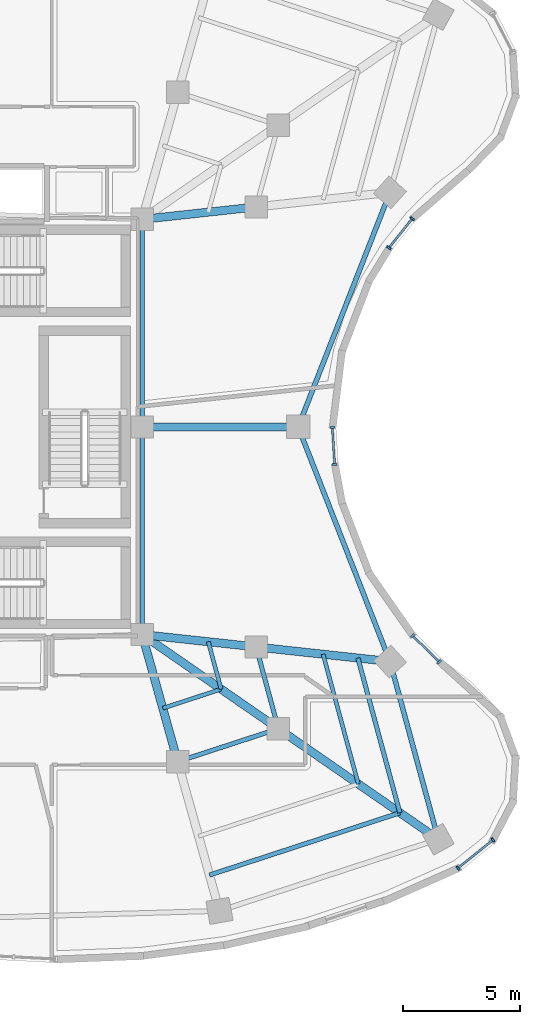
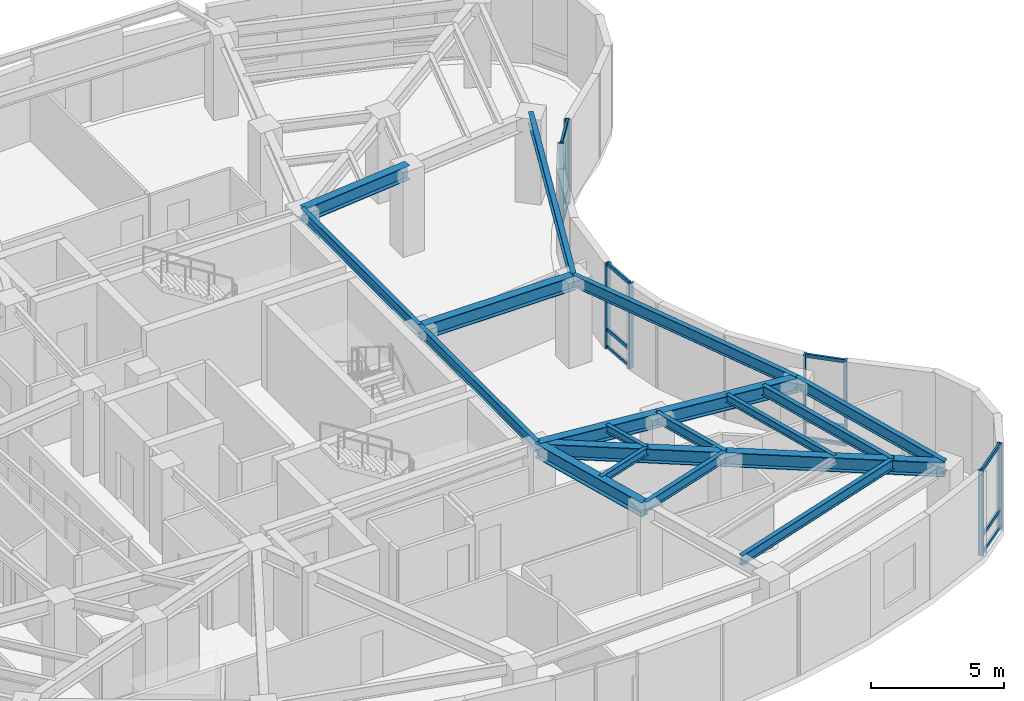
# One storey, part 4 of 14: 20 members, 19 beams, 4 elements without a shape of their own.
"""IFC4 building model written with IfcOpenShell, lengths in metres."""

from ifc_helpers import new_model, si_unit, direction, frame, origin, origin_2d, place, context, subcontext, project, spatial, rectangle, i_section, extrude, material, layer, layer_set, material_profile, profile_set, type_object, element, aggregate, save


model = new_model("IFC4")

# Units and contexts
model_context = context("Model", 3, precision=1e-05, world=origin(), true_north=direction((0.0, 1.0)))
body_context = subcontext(model_context, "Body", "Model", "MODEL_VIEW")
ifc_project = project(units=[si_unit("LENGTHUNIT", "METRE"), si_unit("AREAUNIT", "SQUARE_METRE"), si_unit("VOLUMEUNIT", "CUBIC_METRE"), si_unit("PLANEANGLEUNIT", "RADIAN"), si_unit("MASSUNIT", "GRAM", prefix="KILO")], contexts=[model_context])

# Site, building, storey
site_placement = place(None, origin())
site = spatial("IfcSite", under=ifc_project, at=site_placement, CompositionType="ELEMENT")
building_placement = place(site_placement, origin())
building = spatial("IfcBuilding", under=site, at=building_placement, Name="Korentha Bioscience Tower", CompositionType="ELEMENT")
storey_placement = place(building_placement, frame((0.0, 0.0, 231.0)))
storey = spatial("IfcBuildingStorey", under=building, at=storey_placement, Name="L53", CompositionType="ELEMENT", Elevation=231.0)

# Beams
ifc_material_1 = material(Name="Steel S355", Category="steel")
ifc_material_profile_1 = material_profile(ifc_material_1, i_section(OverallWidth=0.18994140625, OverallDepth=0.45703125, WebThickness=0.009033203125, FlangeThickness=0.014404296875, at=origin_2d()), Name="Steel S355")
ifc_profile_set_1 = profile_set([ifc_material_profile_1], Name="Steel S355 (MB-460)")
beam_type_1 = type_object("IfcBeamType", Name="Mid-Ring Tie Girder W460x74", PredefinedType="BEAM", material=ifc_profile_set_1)
beam_1_placement = place(storey_placement, frame((39.066650390625, 12.730224609375, 3.67138671875), z_axis=(0.950447398506, 0.310885417274, 0.0), x_axis=(-0.310885417274, 0.950447398506, 0.0)))
element("IfcBeam", 1, at=beam_1_placement, inside=storey, type_object=beam_type_1, Name="L53 Mid-Ring Tie Girder 12", PredefinedType="BEAM", context=body_context, shape_type="SweptSolid", body=[
    extrude(i_section(OverallWidth=0.18994140625, OverallDepth=0.45703125, WebThickness=0.009033203125, FlangeThickness=0.014404296875, at=origin_2d()), origin(), (0.0, 0.0, 1.0), 4.5146484375),
])
beam_2_placement = place(storey_placement, frame((43.357666015625, 14.1337890625, 3.67138671875), z_axis=(-0.262122358011, 0.965034646752, 0.0), x_axis=(-0.965034646752, -0.262122358011, 0.0)))
element("IfcBeam", 2, at=beam_2_placement, inside=storey, type_object=beam_type_1, Name="L53 Mid-Ring Tie Girder 13", PredefinedType="BEAM", context=body_context, shape_type="SweptSolid", body=[
    extrude(i_section(OverallWidth=0.18994140625, OverallDepth=0.45703125, WebThickness=0.009033203125, FlangeThickness=0.014404296875, at=origin_2d()), origin(), (0.0, 0.0, 1.0), 3.61279296875),
])
for number, where, z_axis, x_axis, name in (
    (3, (37.550048828125, 18.14990234375, 3.67138671875), (0.0, 1.0, 0.0), (-1.0, 0.0, 0.0), "L53 Core Ring Tie Girder 06"),
    (4, (37.550048828125, 27.0, 3.67138671875), (0.0, 1.0, 0.0), (-1.0, 0.0, 0.0), "L53 Core Ring Tie Girder 07"),
):
    element("IfcBeam", number, at=place(storey_placement, frame(where, z_axis=z_axis, x_axis=x_axis)), inside=storey, type_object=beam_type_1, Name=name, PredefinedType="BEAM", context=body_context, shape_type="SweptSolid", body=[
        extrude(i_section(OverallWidth=0.18994140625, OverallDepth=0.45703125, WebThickness=0.009033203125, FlangeThickness=0.014404296875, at=origin_2d()), origin(), (0.0, 0.0, 1.0), 8.85009765625),
    ])

# Curtain wall, members
ifc_material_2 = material(Name="Thermally Broken Aluminium Frame", Category="aluminium")
ifc_layer = layer(ifc_material_2, 0.219970703125, Name="Thermally Broken Aluminium Frame")
ifc_layer_set = layer_set([ifc_layer], Name="Thermally Broken Aluminium Frame (CW-T1)")
curtain_wall_type = type_object("IfcCurtainWallType", Name="Standard Bioscience Lab Unitised Curtain Wall CW-T1", PredefinedType="USERDEFINED", material=ifc_layer_set)
curtain_wall_1_placement = place(storey_placement, origin())
curtain_wall_1 = element("IfcCurtainWall", 5, at=curtain_wall_1_placement, inside=storey, type_object=curtain_wall_type, Name="L53 Curtain Wall 37", ObjectType="UNITISED", PredefinedType="USERDEFINED")
ifc_material_3 = material(Name="Anodised Aluminium 6063-T6", Category="aluminium")
ifc_material_profile_2 = material_profile(ifc_material_3, rectangle(XDim=0.090087890625, YDim=0.199951171875, at=origin_2d()), Name="Anodised Aluminium 6063-T6")
ifc_profile_set_2 = profile_set([ifc_material_profile_2], Name="Anodised Aluminium 6063-T6 (CW-MUL)")
member_type_1 = type_object("IfcMemberType", Name="Mullion RECT 90x200", PredefinedType="MULLION", material=ifc_profile_set_2)
member_1_placement = place(storey_placement, frame((51.01171875, 8.188720703125, 0.0), z_axis=(0.0, 0.0, 1.0), x_axis=(0.779197616162, 0.626778330008, 0.0)))
member_1 = element("IfcMember", 6, at=member_1_placement, type_object=member_type_1, Name="CW-L53-37 Mullion 1", PredefinedType="MULLION", context=body_context, shape_type="SweptSolid", body=[
    extrude(rectangle(XDim=0.090087890625, YDim=0.199951171875, at=origin_2d()), origin(), (0.0, 0.0, 1.0), 3.89990234375),
])
member_2_placement = place(storey_placement, frame((52.5087890625, 9.39306640625, 0.0), z_axis=(0.0, 0.0, 1.0), x_axis=(0.779197616162, 0.626778330008, 0.0)))
member_2 = element("IfcMember", 7, at=member_2_placement, type_object=member_type_1, Name="CW-L53-37 Mullion 2", PredefinedType="MULLION", context=body_context, shape_type="SweptSolid", body=[
    extrude(rectangle(XDim=0.090087890625, YDim=0.199951171875, at=origin_2d()), origin(), (0.0, 0.0, 1.0), 3.89990234375),
])

curtain_wall_2_placement = place(storey_placement, origin())
curtain_wall_2 = element("IfcCurtainWall", 8, at=curtain_wall_2_placement, inside=storey, type_object=curtain_wall_type, Name="L53 Curtain Wall 43", ObjectType="UNITISED", PredefinedType="USERDEFINED")
member_3_placement = place(storey_placement, frame((50.2197265625, 16.978759765625, 0.0), z_axis=(0.0, 0.0, 1.0), x_axis=(-0.713258270268, 0.700901305388, 0.0)))
member_3 = element("IfcMember", 9, at=member_3_placement, type_object=member_type_1, Name="CW-L53-43 Mullion 1", PredefinedType="MULLION", context=body_context, shape_type="SweptSolid", body=[
    extrude(rectangle(XDim=0.090087890625, YDim=0.199951171875, at=origin_2d()), origin(), (0.0, 0.0, 1.0), 3.89990234375),
])
member_4_placement = place(storey_placement, frame((49.08349609375, 18.095703125, 0.0), z_axis=(0.0, 0.0, 1.0), x_axis=(-0.713258270268, 0.700901305388, 0.0)))
member_4 = element("IfcMember", 10, at=member_4_placement, type_object=member_type_1, Name="CW-L53-43 Mullion 2", PredefinedType="MULLION", context=body_context, shape_type="SweptSolid", body=[
    extrude(rectangle(XDim=0.090087890625, YDim=0.199951171875, at=origin_2d()), origin(), (0.0, 0.0, 1.0), 3.89990234375),
])

curtain_wall_3_placement = place(storey_placement, origin())
curtain_wall_3 = element("IfcCurtainWall", 11, at=curtain_wall_3_placement, inside=storey, type_object=curtain_wall_type, Name="L53 Curtain Wall 49", ObjectType="UNITISED", PredefinedType="USERDEFINED")
member_5_placement = place(storey_placement, frame((45.7568359375, 25.39501953125, 0.0), z_axis=(0.0, 0.0, 1.0), x_axis=(-0.06095424178, 0.998140561449, 0.0)))
member_5 = element("IfcMember", 12, at=member_5_placement, type_object=member_type_1, Name="CW-L53-49 Mullion 1", PredefinedType="MULLION", context=body_context, shape_type="SweptSolid", body=[
    extrude(rectangle(XDim=0.090087890625, YDim=0.199951171875, at=origin_2d()), origin(), (0.0, 0.0, 1.0), 3.89990234375),
])
member_6_placement = place(storey_placement, frame((45.65966796875, 26.985107421875, 0.0), z_axis=(0.0, 0.0, 1.0), x_axis=(-0.06095424178, 0.998140561449, 0.0)))
member_6 = element("IfcMember", 13, at=member_6_placement, type_object=member_type_1, Name="CW-L53-49 Mullion 2", PredefinedType="MULLION", context=body_context, shape_type="SweptSolid", body=[
    extrude(rectangle(XDim=0.090087890625, YDim=0.199951171875, at=origin_2d()), origin(), (0.0, 0.0, 1.0), 3.89990234375),
])

curtain_wall_4_placement = place(storey_placement, origin())
curtain_wall_4 = element("IfcCurtainWall", 14, at=curtain_wall_4_placement, inside=storey, type_object=curtain_wall_type, Name="L53 Curtain Wall 55", ObjectType="UNITISED", PredefinedType="USERDEFINED")
member_7_placement = place(storey_placement, frame((48.07177734375, 34.635498046875, 0.0), z_axis=(0.0, 0.0, 1.0), x_axis=(0.622511989066, 0.782610262819, 0.0)))
member_7 = element("IfcMember", 15, at=member_7_placement, type_object=member_type_1, Name="CW-L53-55 Mullion 1", PredefinedType="MULLION", context=body_context, shape_type="SweptSolid", body=[
    extrude(rectangle(XDim=0.090087890625, YDim=0.199951171875, at=origin_2d()), origin(), (0.0, 0.0, 1.0), 3.89990234375),
])
member_8_placement = place(storey_placement, frame((49.063720703125, 35.882568359375, 0.0), z_axis=(0.0, 0.0, 1.0), x_axis=(0.622511989066, 0.782610262819, 0.0)))
member_8 = element("IfcMember", 16, at=member_8_placement, type_object=member_type_1, Name="CW-L53-55 Mullion 2", PredefinedType="MULLION", context=body_context, shape_type="SweptSolid", body=[
    extrude(rectangle(XDim=0.090087890625, YDim=0.199951171875, at=origin_2d()), origin(), (0.0, 0.0, 1.0), 3.89990234375),
])

# Beams
ifc_material_profile_3 = material_profile(ifc_material_1, i_section(OverallWidth=0.208984375, OverallDepth=0.532958984375, WebThickness=0.01025390625, FlangeThickness=0.015625, at=origin_2d()), Name="Steel S355")
ifc_profile_set_3 = profile_set([ifc_material_profile_3], Name="Steel S355 (SB-530)")
beam_type_2 = type_object("IfcBeamType", Name="Perimeter Ring Spandrel Girder W530x92", PredefinedType="SPANDREL", material=ifc_profile_set_3)
beam_3_placement = place(storey_placement, frame((50.175537109375, 9.419189453125, 3.633544921875), z_axis=(-0.26215989838, 0.965024449266, 0.0), x_axis=(-0.965024449266, -0.26215989838, 0.0)))
element("IfcBeam", 17, at=beam_3_placement, inside=storey, type_object=beam_type_2, Name="L53 Perimeter Spandrel Girder 13", PredefinedType="SPANDREL", context=body_context, shape_type="SweptSolid", body=[
    extrude(i_section(OverallWidth=0.208984375, OverallDepth=0.532958984375, WebThickness=0.01025390625, FlangeThickness=0.015625, at=origin_2d()), origin(), (0.0, 0.0, 1.0), 7.854248046875),
])
for number, where, z_axis, x_axis, name in (
    (18, (48.116455078125, 16.998779296875, 3.633544921875), (-0.364482486075, 0.931210243363, 0.0), (-0.931210243363, -0.364482486075, 0.0), "L53 Perimeter Spandrel Girder 14"),
    (19, (44.201904296875, 27.0, 3.633544921875), (0.364482486075, 0.931210243363, 0.0), (-0.931210243363, 0.364482486075, 0.0), "L53 Perimeter Spandrel Girder 15"),
):
    element("IfcBeam", number, at=place(storey_placement, frame(where, z_axis=z_axis, x_axis=x_axis)), inside=storey, type_object=beam_type_2, Name=name, PredefinedType="SPANDREL", context=body_context, shape_type="SweptSolid", body=[
        extrude(i_section(OverallWidth=0.208984375, OverallDepth=0.532958984375, WebThickness=0.01025390625, FlangeThickness=0.015625, at=origin_2d()), origin(), (0.0, 0.0, 1.0), 10.739990234375),
    ])
ifc_material_profile_4 = material_profile(ifc_material_1, i_section(OverallWidth=0.18994140625, OverallDepth=0.45703125, WebThickness=0.009033203125, FlangeThickness=0.014404296875, at=origin_2d()), Name="Steel S355")
ifc_profile_set_4 = profile_set([ifc_material_profile_4], Name="Steel S355 (RB-460)")
beam_type_3 = type_object("IfcBeamType", Name="Radial Laboratory Beam W460x74", PredefinedType="BEAM", material=ifc_profile_set_4)
beam_4_placement = place(storey_placement, frame((40.419677734375, 7.89501953125, 3.67138671875), z_axis=(0.950451488918, 0.310872911674, 0.0), x_axis=(-0.310872911674, 0.950451488918, 0.0)))
element("IfcBeam", 20, at=beam_4_placement, inside=storey, type_object=beam_type_3, Name="L53 Secondary Floor Beam JSTO-12", PredefinedType="BEAM", context=body_context, shape_type="SweptSolid", body=[
    extrude(i_section(OverallWidth=0.18994140625, OverallDepth=0.45703125, WebThickness=0.009033203125, FlangeThickness=0.014404296875, at=origin_2d()), origin(), (0.0, 0.0, 1.0), 8.54296875),
])
beam_5_placement = place(storey_placement, frame((48.539306640625, 10.55078125, 3.67138671875), z_axis=(-0.262165402462, 0.965022954003, 0.0), x_axis=(-0.965022954003, -0.262165402462, 0.0)))
element("IfcBeam", 21, at=beam_5_placement, inside=storey, type_object=beam_type_3, Name="L53 Secondary Floor Beam JSTO-13", PredefinedType="BEAM", context=body_context, shape_type="SweptSolid", body=[
    extrude(i_section(OverallWidth=0.18994140625, OverallDepth=0.45703125, WebThickness=0.009033203125, FlangeThickness=0.014404296875, at=origin_2d()), origin(), (0.0, 0.0, 1.0), 6.836181640625),
])
ifc_material_profile_5 = material_profile(ifc_material_1, i_section(OverallWidth=0.35009765625, OverallDepth=0.64990234375, WebThickness=0.01611328125, FlangeThickness=0.02490234375, at=origin_2d()), Name="Steel S355")
ifc_profile_set_5 = profile_set([ifc_material_profile_5], Name="Steel S355 (RB-650)")
beam_type_4 = type_object("IfcBeamType", Name="Radial Laboratory Girder CVS 650x208", PredefinedType="BEAM", material=ifc_profile_set_5)
beam_6_placement = place(storey_placement, frame((37.550048828125, 18.14990234375, 3.574951171875), z_axis=(0.269480278508, -0.963005908339, 0.0), x_axis=(0.963005908339, 0.269480278508, 0.0)))
element("IfcBeam", 22, at=beam_6_placement, inside=storey, type_object=beam_type_4, Name="L53 Inner Radial Girder 12", PredefinedType="BEAM", context=body_context, shape_type="SweptSolid", body=[
    extrude(i_section(OverallWidth=0.35009765625, OverallDepth=0.64990234375, WebThickness=0.01611328125, FlangeThickness=0.02490234375, at=origin_2d()), origin(), (0.0, 0.0, 1.0), 5.6279296875),
])
beam_7_placement = place(storey_placement, frame((37.550048828125, 18.14990234375, 3.574951171875), z_axis=(0.822493302413, -0.568774795052, 0.0), x_axis=(0.568774795052, 0.822493302413, 0.0)))
element("IfcBeam", 23, at=beam_7_placement, inside=storey, type_object=beam_type_4, Name="L53 Inner Radial Girder 13", PredefinedType="BEAM", context=body_context, shape_type="SweptSolid", body=[
    extrude(i_section(OverallWidth=0.35009765625, OverallDepth=0.64990234375, WebThickness=0.01611328125, FlangeThickness=0.02490234375, at=origin_2d()), origin(), (0.0, 0.0, 1.0), 7.06103515625),
])
beam_8_placement = place(storey_placement, frame((43.357666015625, 14.1337890625, 3.574951171875), z_axis=(0.82250061903, -0.568764214499, 0.0), x_axis=(0.568764214499, 0.82250061903, 0.0)))
element("IfcBeam", 24, at=beam_8_placement, inside=storey, type_object=beam_type_4, Name="L53 Outer Radial Girder 13", PredefinedType="BEAM", context=body_context, shape_type="SweptSolid", body=[
    extrude(i_section(OverallWidth=0.35009765625, OverallDepth=0.64990234375, WebThickness=0.01611328125, FlangeThickness=0.02490234375, at=origin_2d()), origin(), (0.0, 0.0, 1.0), 8.289306640625),
])
beam_9_placement = place(storey_placement, frame((37.550048828125, 18.14990234375, 3.574951171875), z_axis=(0.994117728659, -0.108304854762, 0.0), x_axis=(0.108304854762, 0.994117728659, 0.0)))
element("IfcBeam", 25, at=beam_9_placement, inside=storey, type_object=beam_type_4, Name="L53 Inner Radial Girder 14", PredefinedType="BEAM", context=body_context, shape_type="SweptSolid", body=[
    extrude(i_section(OverallWidth=0.35009765625, OverallDepth=0.64990234375, WebThickness=0.01611328125, FlangeThickness=0.02490234375, at=origin_2d()), origin(), (0.0, 0.0, 1.0), 4.889404296875),
])
beam_10_placement = place(storey_placement, frame((42.41064453125, 17.620361328125, 3.574951171875), z_axis=(0.994118507308, -0.108297707398, 0.0), x_axis=(0.108297707398, 0.994118507308, 0.0)))
element("IfcBeam", 26, at=beam_10_placement, inside=storey, type_object=beam_type_4, Name="L53 Outer Radial Girder 14", PredefinedType="BEAM", context=body_context, shape_type="SweptSolid", body=[
    extrude(i_section(OverallWidth=0.35009765625, OverallDepth=0.64990234375, WebThickness=0.01611328125, FlangeThickness=0.02490234375, at=origin_2d()), origin(), (0.0, 0.0, 1.0), 5.739501953125),
])
beam_11_placement = place(storey_placement, frame((37.550048828125, 27.0, 3.574951171875), z_axis=(1.0, 0.0, 0.0), x_axis=(0.0, 1.0, 0.0)))
element("IfcBeam", 27, at=beam_11_placement, inside=storey, type_object=beam_type_4, Name="L53 Radial Girder 15", PredefinedType="BEAM", context=body_context, shape_type="SweptSolid", body=[
    extrude(i_section(OverallWidth=0.35009765625, OverallDepth=0.64990234375, WebThickness=0.01611328125, FlangeThickness=0.02490234375, at=origin_2d()), origin(), (0.0, 0.0, 1.0), 6.65185546875),
])
beam_12_placement = place(storey_placement, frame((37.550048828125, 35.85009765625, 3.574951171875), z_axis=(0.994117728659, 0.108304854762, 0.0), x_axis=(-0.108304854762, 0.994117728659, 0.0)))
element("IfcBeam", 28, at=beam_12_placement, inside=storey, type_object=beam_type_4, Name="L53 Inner Radial Girder 16", PredefinedType="BEAM", context=body_context, shape_type="SweptSolid", body=[
    extrude(i_section(OverallWidth=0.35009765625, OverallDepth=0.64990234375, WebThickness=0.01611328125, FlangeThickness=0.02490234375, at=origin_2d()), origin(), (0.0, 0.0, 1.0), 4.889404296875),
])
ifc_material_profile_6 = material_profile(ifc_material_1, i_section(OverallWidth=0.1708984375, OverallDepth=0.35498046875, WebThickness=0.007080078125, FlangeThickness=0.01171875, at=origin_2d()), Name="Steel S355")
ifc_profile_set_6 = profile_set([ifc_material_profile_6], Name="Steel S355 (JB-360)")
beam_type_5 = type_object("IfcBeamType", Name="Secondary Laboratory Joist W360x51", PredefinedType="JOIST", material=ifc_profile_set_6)
beam_13_placement = place(storey_placement, frame((38.4296875, 15.006591796875, 3.722412109375), z_axis=(0.950458247894, 0.31085224627, 0.0), x_axis=(-0.31085224627, 0.950458247894, 0.0)))
element("IfcBeam", 29, at=beam_13_placement, inside=storey, type_object=beam_type_5, Name="L53 Inner Bay Joist 12", PredefinedType="JOIST", context=body_context, shape_type="SweptSolid", body=[
    extrude(i_section(OverallWidth=0.1708984375, OverallDepth=0.35498046875, WebThickness=0.007080078125, FlangeThickness=0.01171875, at=origin_2d()), origin(), (0.0, 0.0, 1.0), 2.618408203125),
])
beam_14_placement = place(storey_placement, frame((46.7666015625, 11.776611328125, 3.722412109375), z_axis=(-0.262133629198, 0.965031585205, 0.0), x_axis=(-0.965031585205, -0.262133629198, 0.0)))
element("IfcBeam", 30, at=beam_14_placement, inside=storey, type_object=beam_type_5, Name="L53 Secondary Floor Beam JST-13", PredefinedType="JOIST", context=body_context, shape_type="SweptSolid", body=[
    extrude(i_section(OverallWidth=0.1708984375, OverallDepth=0.35498046875, WebThickness=0.007080078125, FlangeThickness=0.01171875, at=origin_2d()), origin(), (0.0, 0.0, 1.0), 5.7333984375),
])
beam_15_placement = place(storey_placement, frame((40.91845703125, 15.820556640625, 3.722412109375), z_axis=(-0.262141298938, 0.965029501824, 0.0), x_axis=(-0.965029501824, -0.262141298938, 0.0)))
element("IfcBeam", 31, at=beam_15_placement, inside=storey, type_object=beam_type_5, Name="L53 Inner Bay Joist 13", PredefinedType="JOIST", context=body_context, shape_type="SweptSolid", body=[
    extrude(i_section(OverallWidth=0.1708984375, OverallDepth=0.35498046875, WebThickness=0.007080078125, FlangeThickness=0.01171875, at=origin_2d()), origin(), (0.0, 0.0, 1.0), 2.095458984375),
])

# Member
ifc_material_profile_7 = material_profile(ifc_material_3, rectangle(XDim=0.090087890625, YDim=0.159912109375, at=origin_2d()), Name="Anodised Aluminium 6063-T6")
ifc_profile_set_7 = profile_set([ifc_material_profile_7], Name="Anodised Aluminium 6063-T6 (CW-TRN)")
member_type_2 = type_object("IfcMemberType", Name="Transom RECT 90x160", PredefinedType="USERDEFINED", material=ifc_profile_set_7)
member_9_placement = place(storey_placement, frame((51.046630859375, 8.216796875, 0.044921875), z_axis=(0.779227601678, 0.62674105082, 0.0), x_axis=(-0.62674105082, 0.779227601678, 0.0)))
member_9 = element("IfcMember", 32, at=member_9_placement, type_object=member_type_2, Name="CW-L53-37 Bay 1 Transom 1", ObjectType="TRANSOM", PredefinedType="USERDEFINED", context=body_context, shape_type="SweptSolid", body=[
    extrude(rectangle(XDim=0.090087890625, YDim=0.159912109375, at=origin_2d()), origin(), (0.0, 0.0, 1.0), 1.83154296875),
])

member_10_placement = place(storey_placement, frame((51.046630859375, 8.216796875, 0.85009765625), z_axis=(0.779227601678, 0.62674105082, 0.0), x_axis=(-0.62674105082, 0.779227601678, 0.0)))
member_10 = element("IfcMember", 33, at=member_10_placement, type_object=member_type_2, Name="CW-L53-37 Bay 1 Transom 2", ObjectType="TRANSOM", PredefinedType="USERDEFINED", context=body_context, shape_type="SweptSolid", body=[
    extrude(rectangle(XDim=0.090087890625, YDim=0.159912109375, at=origin_2d()), origin(), (0.0, 0.0, 1.0), 1.83154296875),
])

member_11_placement = place(storey_placement, frame((51.046630859375, 8.216796875, 3.85498046875), z_axis=(0.779227601678, 0.62674105082, 0.0), x_axis=(-0.62674105082, 0.779227601678, 0.0)))
member_11 = element("IfcMember", 34, at=member_11_placement, type_object=member_type_2, Name="CW-L53-37 Bay 1 Transom 3", ObjectType="TRANSOM", PredefinedType="USERDEFINED", context=body_context, shape_type="SweptSolid", body=[
    extrude(rectangle(XDim=0.090087890625, YDim=0.159912109375, at=origin_2d()), origin(), (0.0, 0.0, 1.0), 1.83154296875),
])

aggregate(curtain_wall_1, [member_1, member_2, member_9, member_10, member_11])

member_12_placement = place(storey_placement, frame((50.187744140625, 17.010498046875, 0.044921875), z_axis=(-0.713332158059, 0.700826107018, 0.0), x_axis=(-0.700826107018, -0.713332158059, 0.0)))
member_12 = element("IfcMember", 35, at=member_12_placement, type_object=member_type_2, Name="CW-L53-43 Bay 1 Transom 1", ObjectType="TRANSOM", PredefinedType="USERDEFINED", context=body_context, shape_type="SweptSolid", body=[
    extrude(rectangle(XDim=0.090087890625, YDim=0.159912109375, at=origin_2d()), origin(), (0.0, 0.0, 1.0), 1.503173828125),
])

member_13_placement = place(storey_placement, frame((50.187744140625, 17.010498046875, 0.85009765625), z_axis=(-0.713332158059, 0.700826107018, 0.0), x_axis=(-0.700826107018, -0.713332158059, 0.0)))
member_13 = element("IfcMember", 36, at=member_13_placement, type_object=member_type_2, Name="CW-L53-43 Bay 1 Transom 2", ObjectType="TRANSOM", PredefinedType="USERDEFINED", context=body_context, shape_type="SweptSolid", body=[
    extrude(rectangle(XDim=0.090087890625, YDim=0.159912109375, at=origin_2d()), origin(), (0.0, 0.0, 1.0), 1.503173828125),
])

member_14_placement = place(storey_placement, frame((50.187744140625, 17.010498046875, 3.85498046875), z_axis=(-0.713332158059, 0.700826107018, 0.0), x_axis=(-0.700826107018, -0.713332158059, 0.0)))
member_14 = element("IfcMember", 37, at=member_14_placement, type_object=member_type_2, Name="CW-L53-43 Bay 1 Transom 3", ObjectType="TRANSOM", PredefinedType="USERDEFINED", context=body_context, shape_type="SweptSolid", body=[
    extrude(rectangle(XDim=0.090087890625, YDim=0.159912109375, at=origin_2d()), origin(), (0.0, 0.0, 1.0), 1.503173828125),
])

aggregate(curtain_wall_2, [member_3, member_4, member_12, member_13, member_14])

member_15_placement = place(storey_placement, frame((45.75390625, 25.439697265625, 0.044921875), z_axis=(-0.060902034753, 0.998143748246, 0.0), x_axis=(-0.998143748246, -0.060902034753, 0.0)))
member_15 = element("IfcMember", 38, at=member_15_placement, type_object=member_type_2, Name="CW-L53-49 Bay 1 Transom 1", ObjectType="TRANSOM", PredefinedType="USERDEFINED", context=body_context, shape_type="SweptSolid", body=[
    extrude(rectangle(XDim=0.090087890625, YDim=0.159912109375, at=origin_2d()), origin(), (0.0, 0.0, 1.0), 1.503173828125),
])

member_16_placement = place(storey_placement, frame((45.75390625, 25.439697265625, 0.85009765625), z_axis=(-0.060902034753, 0.998143748246, 0.0), x_axis=(-0.998143748246, -0.060902034753, 0.0)))
member_16 = element("IfcMember", 39, at=member_16_placement, type_object=member_type_2, Name="CW-L53-49 Bay 1 Transom 2", ObjectType="TRANSOM", PredefinedType="USERDEFINED", context=body_context, shape_type="SweptSolid", body=[
    extrude(rectangle(XDim=0.090087890625, YDim=0.159912109375, at=origin_2d()), origin(), (0.0, 0.0, 1.0), 1.503173828125),
])

member_17_placement = place(storey_placement, frame((45.75390625, 25.439697265625, 3.85498046875), z_axis=(-0.060902034753, 0.998143748246, 0.0), x_axis=(-0.998143748246, -0.060902034753, 0.0)))
member_17 = element("IfcMember", 40, at=member_17_placement, type_object=member_type_2, Name="CW-L53-49 Bay 1 Transom 3", ObjectType="TRANSOM", PredefinedType="USERDEFINED", context=body_context, shape_type="SweptSolid", body=[
    extrude(rectangle(XDim=0.090087890625, YDim=0.159912109375, at=origin_2d()), origin(), (0.0, 0.0, 1.0), 1.503173828125),
])

aggregate(curtain_wall_3, [member_5, member_6, member_15, member_16, member_17])

member_18_placement = place(storey_placement, frame((48.099609375, 34.670654296875, 0.044921875), z_axis=(0.622514525424, 0.782608245316, 0.0), x_axis=(-0.782608245316, 0.622514525424, 0.0)))
member_18 = element("IfcMember", 41, at=member_18_placement, type_object=member_type_2, Name="CW-L53-55 Bay 1 Transom 1", ObjectType="TRANSOM", PredefinedType="USERDEFINED", context=body_context, shape_type="SweptSolid", body=[
    extrude(rectangle(XDim=0.090087890625, YDim=0.159912109375, at=origin_2d()), origin(), (0.0, 0.0, 1.0), 1.503662109375),
])

member_19_placement = place(storey_placement, frame((48.099609375, 34.670654296875, 0.85009765625), z_axis=(0.622514525424, 0.782608245316, 0.0), x_axis=(-0.782608245316, 0.622514525424, 0.0)))
member_19 = element("IfcMember", 42, at=member_19_placement, type_object=member_type_2, Name="CW-L53-55 Bay 1 Transom 2", ObjectType="TRANSOM", PredefinedType="USERDEFINED", context=body_context, shape_type="SweptSolid", body=[
    extrude(rectangle(XDim=0.090087890625, YDim=0.159912109375, at=origin_2d()), origin(), (0.0, 0.0, 1.0), 1.503662109375),
])

member_20_placement = place(storey_placement, frame((48.099609375, 34.670654296875, 3.85498046875), z_axis=(0.622514525424, 0.782608245316, 0.0), x_axis=(-0.782608245316, 0.622514525424, 0.0)))
member_20 = element("IfcMember", 43, at=member_20_placement, type_object=member_type_2, Name="CW-L53-55 Bay 1 Transom 3", ObjectType="TRANSOM", PredefinedType="USERDEFINED", context=body_context, shape_type="SweptSolid", body=[
    extrude(rectangle(XDim=0.090087890625, YDim=0.159912109375, at=origin_2d()), origin(), (0.0, 0.0, 1.0), 1.503662109375),
])

aggregate(curtain_wall_4, [member_7, member_8, member_18, member_19, member_20])

save(model, "model.ifc")
